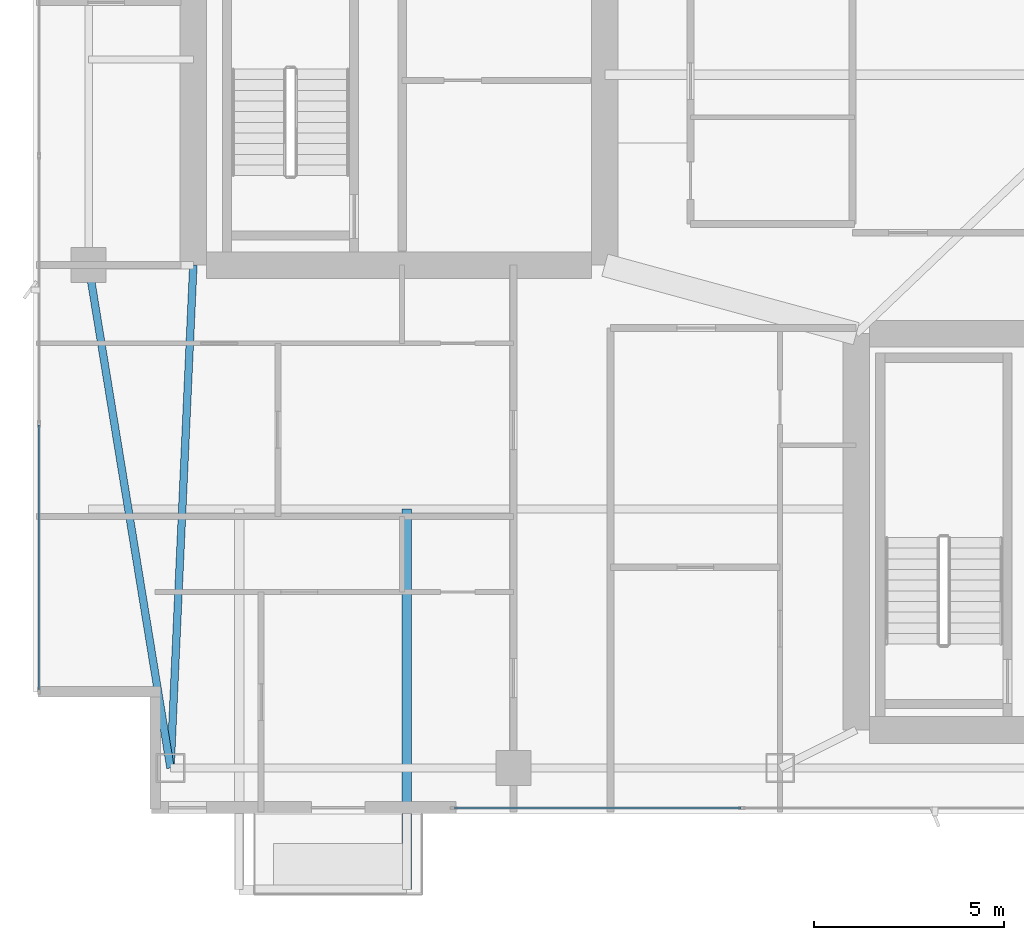
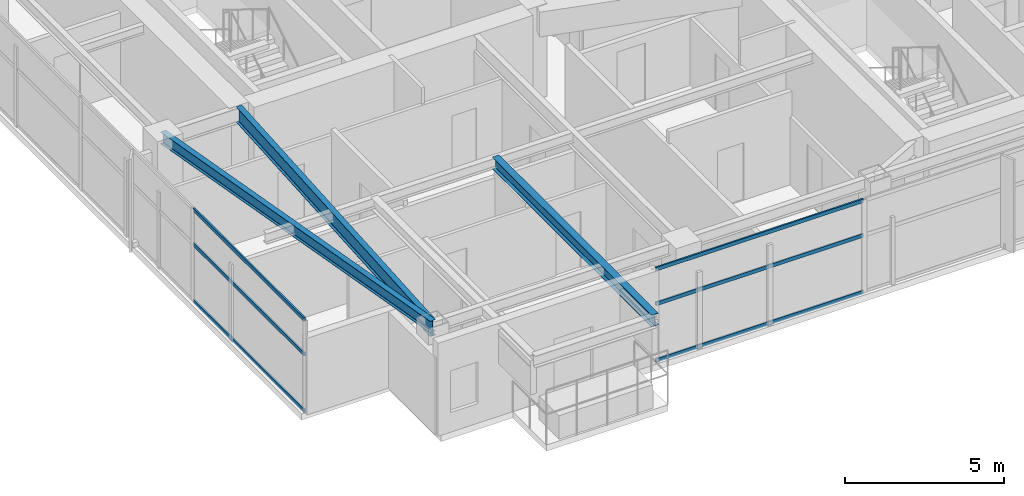
# One storey, part 3 of 30: 6 members, 3 beams, 2 elements without a shape of their own.
"""IFC4 building model written with IfcOpenShell, lengths in metres."""

from ifc_helpers import new_model, si_unit, direction, frame, origin, origin_2d, place, context, subcontext, project, spatial, hollow_rectangle, i_section, extrude, material, layer, layer_set, material_profile, profile_set, type_object, element, aggregate, save


model = new_model("IFC4")

# Units and contexts
model_context = context("Model", 3, precision=1e-05, world=origin(), true_north=direction((0.0, 1.0)))
body_context = subcontext(model_context, "Body", "Model", "MODEL_VIEW")
ifc_project = project(units=[si_unit("LENGTHUNIT", "METRE"), si_unit("AREAUNIT", "SQUARE_METRE"), si_unit("VOLUMEUNIT", "CUBIC_METRE"), si_unit("PLANEANGLEUNIT", "RADIAN"), si_unit("MASSUNIT", "GRAM", prefix="KILO")], contexts=[model_context])

# Site, building, storey
site_placement = place(None, origin())
site = spatial("IfcSite", under=ifc_project, at=site_placement, CompositionType="ELEMENT")
building_placement = place(site_placement, origin())
building = spatial("IfcBuilding", under=site, at=building_placement, Name="Calvorn Quay Hotel", CompositionType="ELEMENT")
storey_placement = place(building_placement, frame((0.0, 0.0, 203.39990234375)))
storey = spatial("IfcBuildingStorey", under=building, at=storey_placement, Name="L50", CompositionType="ELEMENT", Elevation=203.39990234375)

# Beams
ifc_material_1 = material(Name="Steel Q355B", Category="steel")
ifc_material_profile_1 = material_profile(ifc_material_1, i_section(OverallWidth=0.25, OverallDepth=0.449951171875, WebThickness=0.011962890625, FlangeThickness=0.01611328125, FilletRadius=0.01611328125, at=origin_2d()), Name="HN450x250x12x16")
ifc_profile_set_1 = profile_set([ifc_material_profile_1], Name="Steel Q355B")
beam_type_1 = type_object("IfcBeamType", Name="BM-CANT-BALC", PredefinedType="BEAM", material=ifc_profile_set_1)
beam_1_placement = place(storey_placement, frame((9.800048828125, 10.39990234375, 3.315185546875), z_axis=(0.0, -1.0, 0.0), x_axis=(1.0, 0.0, 0.0)))
element("IfcBeam", 1, at=beam_1_placement, inside=storey, type_object=beam_type_1, Name="Cantilever Balcony Beam BCB-L51-2B", PredefinedType="BEAM", context=body_context, shape_type="SweptSolid", body=[
    extrude(i_section(OverallWidth=0.25, OverallDepth=0.449951171875, WebThickness=0.011962890625, FlangeThickness=0.01611328125, FilletRadius=0.01611328125, at=origin_2d()), origin(), (0.0, 0.0, 1.0), 9.989990234375),
])
ifc_material_2 = material(Name="Steel Q355B", Category="steel")
ifc_material_profile_2 = material_profile(ifc_material_2, i_section(OverallWidth=0.199951171875, OverallDepth=0.60009765625, WebThickness=0.010986328125, FlangeThickness=0.01708984375, FilletRadius=0.01806640625, at=origin_2d()), Name="HN600x200x11x17")
ifc_profile_set_2 = profile_set([ifc_material_profile_2], Name="Steel Q355B")
beam_type_2 = type_object("IfcBeamType", Name="BM-GIRD-TYP", PredefinedType="BEAM", material=ifc_profile_set_2)
beam_2_placement = place(storey_placement, frame((3.60009765625, 3.60009765625, 3.239990234375), z_axis=(0.045396765494, 0.998969035397, 0.0), x_axis=(-0.998969035397, 0.045396765494, 0.0)))
element("IfcBeam", 2, at=beam_2_placement, inside=storey, type_object=beam_type_2, Name="Beam BG-L50-W0", PredefinedType="BEAM", context=body_context, shape_type="SweptSolid", body=[
    extrude(i_section(OverallWidth=0.199951171875, OverallDepth=0.60009765625, WebThickness=0.010986328125, FlangeThickness=0.01708984375, FilletRadius=0.01806640625, at=origin_2d()), origin(), (0.0, 0.0, 1.0), 13.213623046875),
])
ifc_material_3 = material(Name="Steel Q355B", Category="steel")
ifc_material_profile_3 = material_profile(ifc_material_3, i_section(OverallWidth=0.199951171875, OverallDepth=0.449951171875, WebThickness=0.009033203125, FlangeThickness=0.013916015625, FilletRadius=0.01611328125, at=origin_2d()), Name="HN450x200x9x14")
ifc_profile_set_3 = profile_set([ifc_material_profile_3], Name="Steel Q355B")
beam_type_3 = type_object("IfcBeamType", Name="BM-SPANDREL-Z3", PredefinedType="SPANDREL", material=ifc_profile_set_3)
beam_3_placement = place(storey_placement, frame((3.60009765625, 3.60009765625, 3.315185546875), z_axis=(-0.16077155054, 0.986991645627, 0.0), x_axis=(-0.986991645627, -0.16077155054, 0.0)))
element("IfcBeam", 3, at=beam_3_placement, inside=storey, type_object=beam_type_3, Name="Beam BSP-L50-W1", PredefinedType="SPANDREL", context=body_context, shape_type="SweptSolid", body=[
    extrude(i_section(OverallWidth=0.199951171875, OverallDepth=0.449951171875, WebThickness=0.009033203125, FlangeThickness=0.013916015625, FilletRadius=0.01611328125, at=origin_2d()), origin(), (0.0, 0.0, 1.0), 13.3740234375),
])

# Curtain wall, members
ifc_material_4 = material(Name="Champagne Bronze Anodised Aluminium and Low-E Glass", Category="aluminium")
ifc_layer = layer(ifc_material_4, 0.219970703125)
ifc_layer_set = layer_set([ifc_layer], Name="CW-SYS-Z3")
curtain_wall_type = type_object("IfcCurtainWallType", Name="CW-SYS-Z3", PredefinedType="NOTDEFINED", material=ifc_layer_set)
curtain_wall_1_placement = place(storey_placement, origin())
curtain_wall_1 = element("IfcCurtainWall", 4, at=curtain_wall_1_placement, inside=storey, type_object=curtain_wall_type, Name="Tower West Curtain Wall (L50)", PredefinedType="NOTDEFINED")
ifc_material_5 = material(Name="Champagne Bronze Anodised Aluminium 6063-T6", Category="aluminium")
ifc_material_profile_4 = material_profile(ifc_material_5, hollow_rectangle(XDim=0.05810546875, YDim=0.139892578125, WallThickness=0.003173828125, at=origin_2d()), Name="ALU-T140x58x3.2")
ifc_profile_set_4 = profile_set([ifc_material_profile_4], Name="Champagne Bronze Anodised Aluminium 6063-T6")
member_type = type_object("IfcMemberType", Name="CW-SYS-Z3-TRN", PredefinedType="USERDEFINED", material=ifc_profile_set_4)
member_1_placement = place(storey_placement, frame((0.14990234375, 5.659912109375, 0.030029296875), z_axis=(0.0, 1.0, 0.0), x_axis=(-1.0, 0.0, 0.0)))
member_1 = element("IfcMember", 5, at=member_1_placement, type_object=member_type, Name="CW-L50-W transom 1.1", ObjectType="TRANSOM", PredefinedType="USERDEFINED", context=body_context, shape_type="SweptSolid", body=[
    extrude(hollow_rectangle(XDim=0.05810546875, YDim=0.139892578125, WallThickness=0.003173828125, at=origin_2d()), origin(), (0.0, 0.0, 1.0), 6.943359375),
])
member_2_placement = place(storey_placement, frame((0.14990234375, 5.659912109375, 2.2001953125), z_axis=(0.0, 1.0, 0.0), x_axis=(-1.0, 0.0, 0.0)))
member_2 = element("IfcMember", 6, at=member_2_placement, type_object=member_type, Name="CW-L50-W transom 1.2", ObjectType="TRANSOM", PredefinedType="USERDEFINED", context=body_context, shape_type="SweptSolid", body=[
    extrude(hollow_rectangle(XDim=0.05810546875, YDim=0.139892578125, WallThickness=0.003173828125, at=origin_2d()), origin(), (0.0, 0.0, 1.0), 6.943359375),
])
member_3_placement = place(storey_placement, frame((0.14990234375, 5.659912109375, 3.530029296875), z_axis=(0.0, 1.0, 0.0), x_axis=(-1.0, 0.0, 0.0)))
member_3 = element("IfcMember", 7, at=member_3_placement, type_object=member_type, Name="CW-L50-W transom 1.3", ObjectType="TRANSOM", PredefinedType="USERDEFINED", context=body_context, shape_type="SweptSolid", body=[
    extrude(hollow_rectangle(XDim=0.05810546875, YDim=0.139892578125, WallThickness=0.003173828125, at=origin_2d()), origin(), (0.0, 0.0, 1.0), 6.943359375),
])
aggregate(curtain_wall_1, [member_1, member_2, member_3])

curtain_wall_2_placement = place(storey_placement, origin())
curtain_wall_2 = element("IfcCurtainWall", 8, at=curtain_wall_2_placement, inside=storey, type_object=curtain_wall_type, Name="Tower South Waterfront Curtain Wall (L50)", PredefinedType="NOTDEFINED")
member_4_placement = place(storey_placement, frame((11.06005859375, 2.550048828125, 0.030029296875), z_axis=(1.0, 0.0, 0.0), x_axis=(0.0, 1.0, 0.0)))
member_4 = element("IfcMember", 9, at=member_4_placement, type_object=member_type, Name="CW-L50-S transom 1.1", ObjectType="TRANSOM", PredefinedType="USERDEFINED", context=body_context, shape_type="SweptSolid", body=[
    extrude(hollow_rectangle(XDim=0.05810546875, YDim=0.139892578125, WallThickness=0.003173828125, at=origin_2d()), origin(), (0.0, 0.0, 1.0), 7.510009765625),
])
member_5_placement = place(storey_placement, frame((11.06005859375, 2.550048828125, 2.2001953125), z_axis=(1.0, 0.0, 0.0), x_axis=(0.0, 1.0, 0.0)))
member_5 = element("IfcMember", 10, at=member_5_placement, type_object=member_type, Name="CW-L50-S transom 1.2", ObjectType="TRANSOM", PredefinedType="USERDEFINED", context=body_context, shape_type="SweptSolid", body=[
    extrude(hollow_rectangle(XDim=0.05810546875, YDim=0.139892578125, WallThickness=0.003173828125, at=origin_2d()), origin(), (0.0, 0.0, 1.0), 7.510009765625),
])
member_6_placement = place(storey_placement, frame((11.06005859375, 2.550048828125, 3.530029296875), z_axis=(1.0, 0.0, 0.0), x_axis=(0.0, 1.0, 0.0)))
member_6 = element("IfcMember", 11, at=member_6_placement, type_object=member_type, Name="CW-L50-S transom 1.3", ObjectType="TRANSOM", PredefinedType="USERDEFINED", context=body_context, shape_type="SweptSolid", body=[
    extrude(hollow_rectangle(XDim=0.05810546875, YDim=0.139892578125, WallThickness=0.003173828125, at=origin_2d()), origin(), (0.0, 0.0, 1.0), 7.510009765625),
])
aggregate(curtain_wall_2, [member_4, member_5, member_6])

save(model, "model.ifc")
